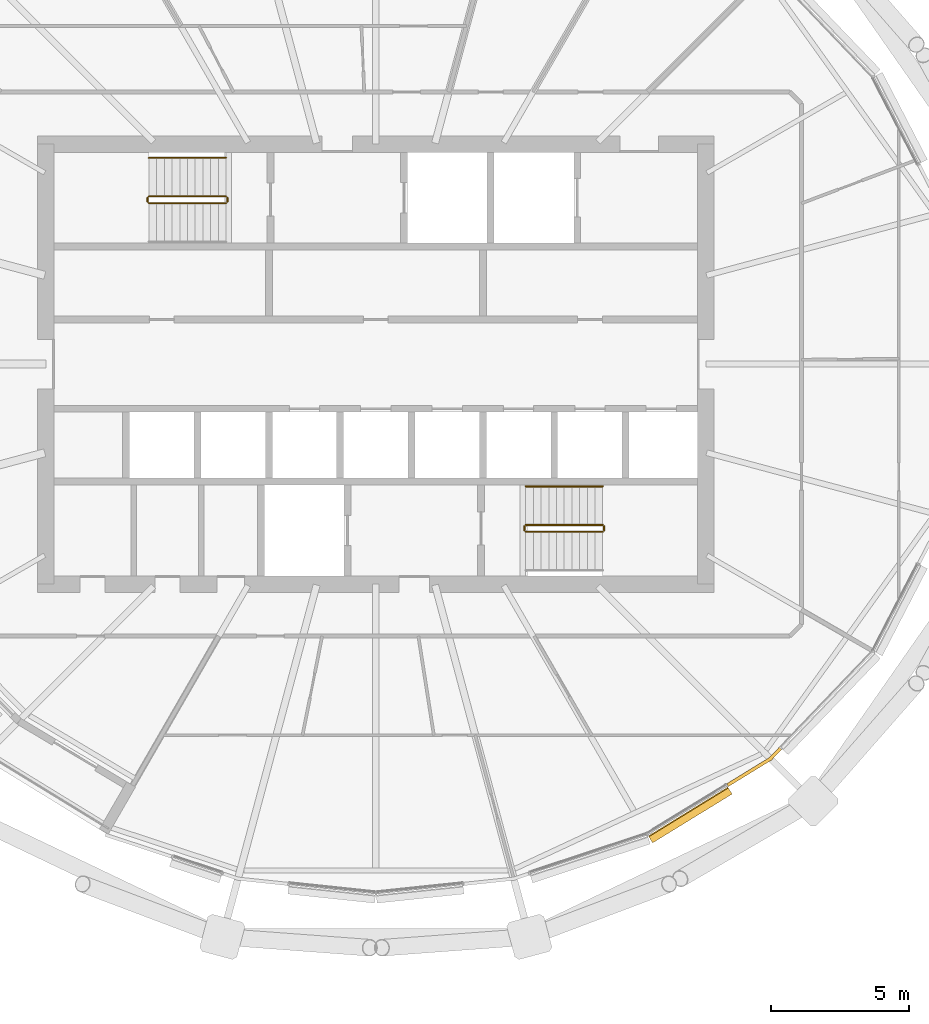
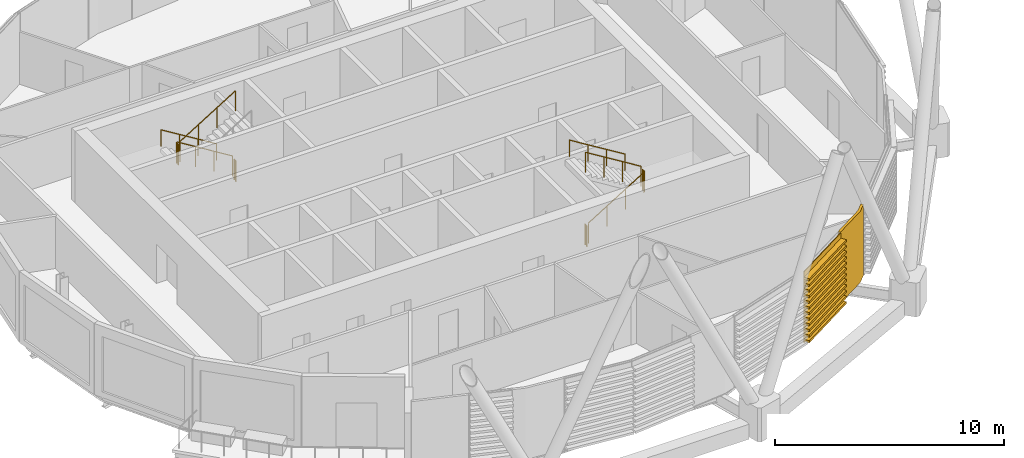
# One storey, part 31 of 36: 10 railings, 2 coverings.
"""IFC4 building model written with IfcOpenShell, lengths in metres."""

from ifc_helpers import new_model, si_unit, direction, frame, origin, origin_2d, place, context, subcontext, project, spatial, polyline, circle, outline, extrude, material, layer, layer_set, material_profile, profile_set, type_object, element, save


model = new_model("IFC4")

# Units and contexts
model_context = context("Model", 3, precision=1e-05, world=origin(), true_north=direction((0.0, 1.0)))
body_context = subcontext(model_context, "Body", "Model", "MODEL_VIEW")
ifc_project = project(units=[si_unit("LENGTHUNIT", "METRE"), si_unit("AREAUNIT", "SQUARE_METRE"), si_unit("VOLUMEUNIT", "CUBIC_METRE"), si_unit("PLANEANGLEUNIT", "RADIAN"), si_unit("MASSUNIT", "GRAM", prefix="KILO")], contexts=[model_context])

# Site, building, storey
site_placement = place(None, origin())
site = spatial("IfcSite", under=ifc_project, at=site_placement, CompositionType="ELEMENT")
building_placement = place(site_placement, origin())
building = spatial("IfcBuilding", under=site, at=building_placement, Name="Rimbun Link Towers", CompositionType="ELEMENT")
storey_placement = place(building_placement, frame((0.0, 0.0, 193.10009765625)))
storey = spatial("IfcBuildingStorey", under=building, at=storey_placement, Name="L47", CompositionType="ELEMENT", Elevation=193.10009765625)

# Covering
ifc_material_1 = material(Name="Terracotta", Category="masonry")
ifc_layer = layer(ifc_material_1, 0.1201171875)
ifc_layer_set = layer_set([ifc_layer], Name="LINK PIER terracotta cladding 120")
covering_type_1 = type_object("IfcCoveringType", Name="LINK PIER terracotta cladding 120", PredefinedType="CLADDING", material=ifc_layer_set)
covering_1_placement = place(storey_placement, origin())
element("IfcCovering", 1, at=covering_1_placement, inside=storey, type_object=covering_type_1, Name="LINK PIER cladding", PredefinedType="CLADDING", context=body_context, shape_type="SweptSolid", body=[
    extrude(outline(polyline([(-17.081787109375, -13.93310546875), (-17.441650390625, -14.308349609375), (-18.99267578125, -15.2607421875), (-18.9296875, -15.363037109375), (-17.36572265625, -14.402587890625), (-16.9951171875, -14.01611328125), (-17.081787109375, -13.93310546875)])), origin(), (0.0, 0.0, 1.0), 3.7998046875),
])

# Railings
ifc_material_2 = material(Name="Stainless steel grade 316", Category="steel")
railing_type_1 = type_object("IfcRailingType", Name="Stair guard", PredefinedType="GUARDRAIL", material=ifc_material_2)
railing_1_placement = place(storey_placement, frame((-37.199951171875, 6.10009765625, 0.172607421875)))
element("IfcRailing", 2, at=railing_1_placement, inside=storey, type_object=railing_type_1, Name="L47 ST1 stair guard 1", PredefinedType="GUARDRAIL", context=body_context, shape_type="SweptSolid", body=[
    extrude(circle(Radius=0.02392578125, at=origin_2d()), frame((0.0, 0.0, 1.076171875), z_axis=(-0.851089632645, 0.0, 0.525020415988), x_axis=(0.0, -1.0, 0.0)), (0.0, 0.0, 1.0), 3.2900390625),
    extrude(circle(Radius=0.02099609375, at=origin_2d()), origin(), (0.0, 0.0, 1.0), 1.052001953125),
    extrude(circle(Radius=0.02099609375, at=origin_2d()), frame((-0.933349609375, 0.0, 0.57568359375)), (0.0, 0.0, 1.0), 1.052001953125),
    extrude(circle(Radius=0.02099609375, at=origin_2d()), frame((-1.86669921875, 0.0, 1.151611328125)), (0.0, 0.0, 1.0), 1.052001953125),
    extrude(circle(Radius=0.02099609375, at=origin_2d()), frame((-2.800048828125, 0.0, 1.727294921875)), (0.0, 0.0, 1.0), 1.052001953125),
])
railing_2_placement = place(storey_placement, frame((-40.050048828125, 6.050048828125, 1.89990234375)))
element("IfcRailing", 3, at=railing_2_placement, inside=storey, type_object=railing_type_1, Name="L47 ST1 stair guard 2", PredefinedType="GUARDRAIL", context=body_context, shape_type="SweptSolid", body=[
    extrude(circle(Radius=0.02392578125, at=origin_2d()), frame((0.0, 0.0, 1.076171875), z_axis=(0.0, -1.0, 0.0), x_axis=(1.0, 0.0, 0.0)), (0.0, 0.0, 1.0), 0.150146484375),
    extrude(circle(Radius=0.02099609375, at=origin_2d()), origin(), (0.0, 0.0, 1.0), 1.052001953125),
    extrude(circle(Radius=0.02099609375, at=origin_2d()), frame((0.0, -0.150146484375, 0.0)), (0.0, 0.0, 1.0), 1.052001953125),
])
railing_3_placement = place(storey_placement, frame((-40.0, 5.85009765625, 2.072509765625)))
element("IfcRailing", 4, at=railing_3_placement, inside=storey, type_object=railing_type_1, Name="L47 ST1 stair guard 3", PredefinedType="GUARDRAIL", context=body_context, shape_type="SweptSolid", body=[
    extrude(circle(Radius=0.02392578125, at=origin_2d()), frame((0.0, 0.0, 1.076171875), z_axis=(0.851089632645, 0.0, 0.525020415988), x_axis=(0.0, 1.0, 0.0)), (0.0, 0.0, 1.0), 3.2900390625),
    extrude(circle(Radius=0.02099609375, at=origin_2d()), origin(), (0.0, 0.0, 1.0), 1.052001953125),
    extrude(circle(Radius=0.02099609375, at=origin_2d()), frame((0.933349609375, 0.0, 0.57568359375)), (0.0, 0.0, 1.0), 1.052001953125),
    extrude(circle(Radius=0.02099609375, at=origin_2d()), frame((1.86669921875, 0.0, 1.151611328125)), (0.0, 0.0, 1.0), 1.052001953125),
    extrude(circle(Radius=0.02099609375, at=origin_2d()), frame((2.800048828125, 0.0, 1.727294921875)), (0.0, 0.0, 1.0), 1.052001953125),
])
railing_4_placement = place(storey_placement, frame((-37.14990234375, 6.050048828125, 0.0)))
element("IfcRailing", 5, at=railing_4_placement, inside=storey, type_object=railing_type_1, Name="L47 ST1 stair guard 4", PredefinedType="GUARDRAIL", context=body_context, shape_type="SweptSolid", body=[
    extrude(circle(Radius=0.02392578125, at=origin_2d()), frame((0.0, 0.0, 1.076171875), z_axis=(0.0, -1.0, 0.0), x_axis=(1.0, 0.0, 0.0)), (0.0, 0.0, 1.0), 0.150146484375),
    extrude(circle(Radius=0.02099609375, at=origin_2d()), origin(), (0.0, 0.0, 1.0), 1.052001953125),
    extrude(circle(Radius=0.02099609375, at=origin_2d()), frame((0.0, -0.150146484375, 0.0)), (0.0, 0.0, 1.0), 1.052001953125),
])
railing_5_placement = place(storey_placement, frame((-26.300048828125, -6.10009765625, 0.172607421875)))
element("IfcRailing", 6, at=railing_5_placement, inside=storey, type_object=railing_type_1, Name="L47 ST2 stair guard 1", PredefinedType="GUARDRAIL", context=body_context, shape_type="SweptSolid", body=[
    extrude(circle(Radius=0.02392578125, at=origin_2d()), frame((0.0, 0.0, 1.076171875), z_axis=(0.851089632645, 0.0, 0.525020415988), x_axis=(0.0, 1.0, 0.0)), (0.0, 0.0, 1.0), 3.2900390625),
    extrude(circle(Radius=0.02099609375, at=origin_2d()), origin(), (0.0, 0.0, 1.0), 1.052001953125),
    extrude(circle(Radius=0.02099609375, at=origin_2d()), frame((0.933349609375, 0.0, 0.57568359375)), (0.0, 0.0, 1.0), 1.052001953125),
    extrude(circle(Radius=0.02099609375, at=origin_2d()), frame((1.86669921875, 0.0, 1.151611328125)), (0.0, 0.0, 1.0), 1.052001953125),
    extrude(circle(Radius=0.02099609375, at=origin_2d()), frame((2.800048828125, 0.0, 1.727294921875)), (0.0, 0.0, 1.0), 1.052001953125),
])
railing_6_placement = place(storey_placement, frame((-23.449951171875, -6.050048828125, 1.89990234375)))
element("IfcRailing", 7, at=railing_6_placement, inside=storey, type_object=railing_type_1, Name="L47 ST2 stair guard 2", PredefinedType="GUARDRAIL", context=body_context, shape_type="SweptSolid", body=[
    extrude(circle(Radius=0.02392578125, at=origin_2d()), frame((0.0, 0.0, 1.076171875), z_axis=(0.0, 1.0, 0.0), x_axis=(-1.0, 0.0, 0.0)), (0.0, 0.0, 1.0), 0.150146484375),
    extrude(circle(Radius=0.02099609375, at=origin_2d()), origin(), (0.0, 0.0, 1.0), 1.052001953125),
    extrude(circle(Radius=0.02099609375, at=origin_2d()), frame((0.0, 0.150146484375, 0.0)), (0.0, 0.0, 1.0), 1.052001953125),
])
railing_7_placement = place(storey_placement, frame((-23.5, -5.85009765625, 2.072509765625)))
element("IfcRailing", 8, at=railing_7_placement, inside=storey, type_object=railing_type_1, Name="L47 ST2 stair guard 3", PredefinedType="GUARDRAIL", context=body_context, shape_type="SweptSolid", body=[
    extrude(circle(Radius=0.02392578125, at=origin_2d()), frame((0.0, 0.0, 1.076171875), z_axis=(-0.851089632645, 0.0, 0.525020415988), x_axis=(0.0, -1.0, 0.0)), (0.0, 0.0, 1.0), 3.2900390625),
    extrude(circle(Radius=0.02099609375, at=origin_2d()), origin(), (0.0, 0.0, 1.0), 1.052001953125),
    extrude(circle(Radius=0.02099609375, at=origin_2d()), frame((-0.933349609375, 0.0, 0.57568359375)), (0.0, 0.0, 1.0), 1.052001953125),
    extrude(circle(Radius=0.02099609375, at=origin_2d()), frame((-1.86669921875, 0.0, 1.151611328125)), (0.0, 0.0, 1.0), 1.052001953125),
    extrude(circle(Radius=0.02099609375, at=origin_2d()), frame((-2.800048828125, 0.0, 1.727294921875)), (0.0, 0.0, 1.0), 1.052001953125),
])
railing_8_placement = place(storey_placement, frame((-26.35009765625, -6.050048828125, 0.0)))
element("IfcRailing", 9, at=railing_8_placement, inside=storey, type_object=railing_type_1, Name="L47 ST2 stair guard 4", PredefinedType="GUARDRAIL", context=body_context, shape_type="SweptSolid", body=[
    extrude(circle(Radius=0.02392578125, at=origin_2d()), frame((0.0, 0.0, 1.076171875), z_axis=(0.0, 1.0, 0.0), x_axis=(-1.0, 0.0, 0.0)), (0.0, 0.0, 1.0), 0.150146484375),
    extrude(circle(Radius=0.02099609375, at=origin_2d()), origin(), (0.0, 0.0, 1.0), 1.052001953125),
    extrude(circle(Radius=0.02099609375, at=origin_2d()), frame((0.0, 0.150146484375, 0.0)), (0.0, 0.0, 1.0), 1.052001953125),
])
ifc_material_3 = material(Name="Stainless steel grade 316", Category="steel")
railing_type_2 = type_object("IfcRailingType", Name="Stair handrail", PredefinedType="HANDRAIL", material=ifc_material_3)
for number, where, name in (
    (10, (-37.199951171875, 7.5, 0.172607421875), "L47 ST1 stair handrail 1"),
    (11, (-23.5, -4.449951171875, 2.072509765625), "L47 ST2 stair handrail 2"),
):
    element("IfcRailing", number, at=place(storey_placement, frame(where)), inside=storey, type_object=railing_type_2, Name=name, PredefinedType="HANDRAIL", context=body_context, shape_type="SweptSolid", body=[
        extrude(circle(Radius=0.02392578125, at=origin_2d()), frame((0.0, 0.0, 0.8759765625), z_axis=(-0.851089632645, 0.0, 0.525020415988), x_axis=(0.0, -1.0, 0.0)), (0.0, 0.0, 1.0), 3.2900390625),
        extrude(circle(Radius=0.02099609375, at=origin_2d()), origin(), (0.0, 0.0, 1.0), 0.851806640625),
        extrude(circle(Radius=0.02099609375, at=origin_2d()), frame((-0.933349609375, 0.0, 0.57568359375)), (0.0, 0.0, 1.0), 0.851806640625),
        extrude(circle(Radius=0.02099609375, at=origin_2d()), frame((-1.86669921875, 0.0, 1.151611328125)), (0.0, 0.0, 1.0), 0.851806640625),
        extrude(circle(Radius=0.02099609375, at=origin_2d()), frame((-2.800048828125, 0.0, 1.727294921875)), (0.0, 0.0, 1.0), 0.851806640625),
    ])

# Covering
ifc_material_4 = material(Name="Terracotta", Category="masonry")
ifc_material_profile = material_profile(ifc_material_4, outline(polyline([(0.123046875, 0.0), (0.1630859375, 0.0), (0.1630859375, 0.10009765625), (0.423095703125, 0.10009765625), (0.423095703125, 0.219970703125), (0.1630859375, 0.219970703125), (0.1630859375, 0.39990234375), (0.423095703125, 0.39990234375), (0.423095703125, 0.52001953125), (0.1630859375, 0.52001953125), (0.1630859375, 0.699951171875), (0.423095703125, 0.699951171875), (0.423095703125, 0.820068359375), (0.1630859375, 0.820068359375), (0.1630859375, 1.0), (0.423095703125, 1.0), (0.423095703125, 1.1201171875), (0.1630859375, 1.1201171875), (0.1630859375, 1.300048828125), (0.423095703125, 1.300048828125), (0.423095703125, 1.419921875), (0.1630859375, 1.419921875), (0.1630859375, 1.60009765625), (0.423095703125, 1.60009765625), (0.423095703125, 1.719970703125), (0.1630859375, 1.719970703125), (0.1630859375, 1.89990234375), (0.423095703125, 1.89990234375), (0.423095703125, 2.02001953125), (0.1630859375, 2.02001953125), (0.1630859375, 2.199951171875), (0.423095703125, 2.199951171875), (0.423095703125, 2.320068359375), (0.1630859375, 2.320068359375), (0.1630859375, 2.5), (0.423095703125, 2.5), (0.423095703125, 2.6201171875), (0.1630859375, 2.6201171875), (0.1630859375, 2.800048828125), (0.423095703125, 2.800048828125), (0.423095703125, 2.919921875), (0.1630859375, 2.919921875), (0.1630859375, 3.10009765625), (0.423095703125, 3.10009765625), (0.423095703125, 3.219970703125), (0.1630859375, 3.219970703125), (0.1630859375, 3.39990234375), (0.423095703125, 3.39990234375), (0.423095703125, 3.52001953125), (0.1630859375, 3.52001953125), (0.1630859375, 3.800048828125), (0.123046875, 3.800048828125), (0.123046875, 0.0)])), Name="BAGUETTE 120X300")
ifc_profile_set = profile_set([ifc_material_profile], Name="Terracotta")
covering_type_2 = type_object("IfcCoveringType", Name="TERRACOTTA BAGUETTE 120X300 H3800", PredefinedType="CLADDING", material=ifc_profile_set)
covering_2_placement = place(storey_placement, frame((-19.01806640625, -15.2763671875, 0.0), z_axis=(-0.852192074263, -0.523229078476, 0.0), x_axis=(0.523229078476, -0.852192074263, 0.0)))
element("IfcCovering", 12, at=covering_2_placement, inside=storey, type_object=covering_type_2, Name="TERRACOTTA BAGUETTE", PredefinedType="CLADDING", context=body_context, shape_type="SweptSolid", body=[
    extrude(outline(polyline([(0.123046875, 0.0), (0.1630859375, 0.0), (0.1630859375, 0.10009765625), (0.423095703125, 0.10009765625), (0.423095703125, 0.219970703125), (0.1630859375, 0.219970703125), (0.1630859375, 0.39990234375), (0.423095703125, 0.39990234375), (0.423095703125, 0.52001953125), (0.1630859375, 0.52001953125), (0.1630859375, 0.699951171875), (0.423095703125, 0.699951171875), (0.423095703125, 0.820068359375), (0.1630859375, 0.820068359375), (0.1630859375, 1.0), (0.423095703125, 1.0), (0.423095703125, 1.1201171875), (0.1630859375, 1.1201171875), (0.1630859375, 1.300048828125), (0.423095703125, 1.300048828125), (0.423095703125, 1.419921875), (0.1630859375, 1.419921875), (0.1630859375, 1.60009765625), (0.423095703125, 1.60009765625), (0.423095703125, 1.719970703125), (0.1630859375, 1.719970703125), (0.1630859375, 1.89990234375), (0.423095703125, 1.89990234375), (0.423095703125, 2.02001953125), (0.1630859375, 2.02001953125), (0.1630859375, 2.199951171875), (0.423095703125, 2.199951171875), (0.423095703125, 2.320068359375), (0.1630859375, 2.320068359375), (0.1630859375, 2.5), (0.423095703125, 2.5), (0.423095703125, 2.6201171875), (0.1630859375, 2.6201171875), (0.1630859375, 2.800048828125), (0.423095703125, 2.800048828125), (0.423095703125, 2.919921875), (0.1630859375, 2.919921875), (0.1630859375, 3.10009765625), (0.423095703125, 3.10009765625), (0.423095703125, 3.219970703125), (0.1630859375, 3.219970703125), (0.1630859375, 3.39990234375), (0.423095703125, 3.39990234375), (0.423095703125, 3.52001953125), (0.1630859375, 3.52001953125), (0.1630859375, 3.800048828125), (0.123046875, 3.800048828125), (0.123046875, 0.0)])), origin(), (0.0, 0.0, 1.0), 3.389404296875),
])

save(model, "model.ifc")
